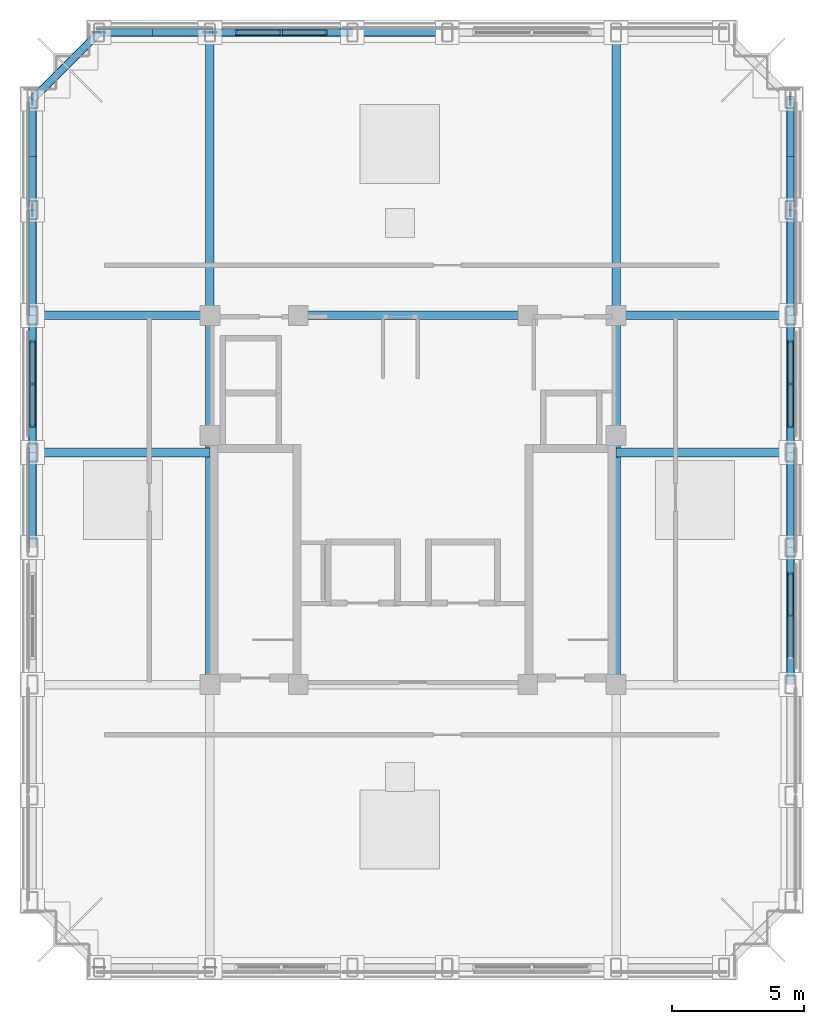
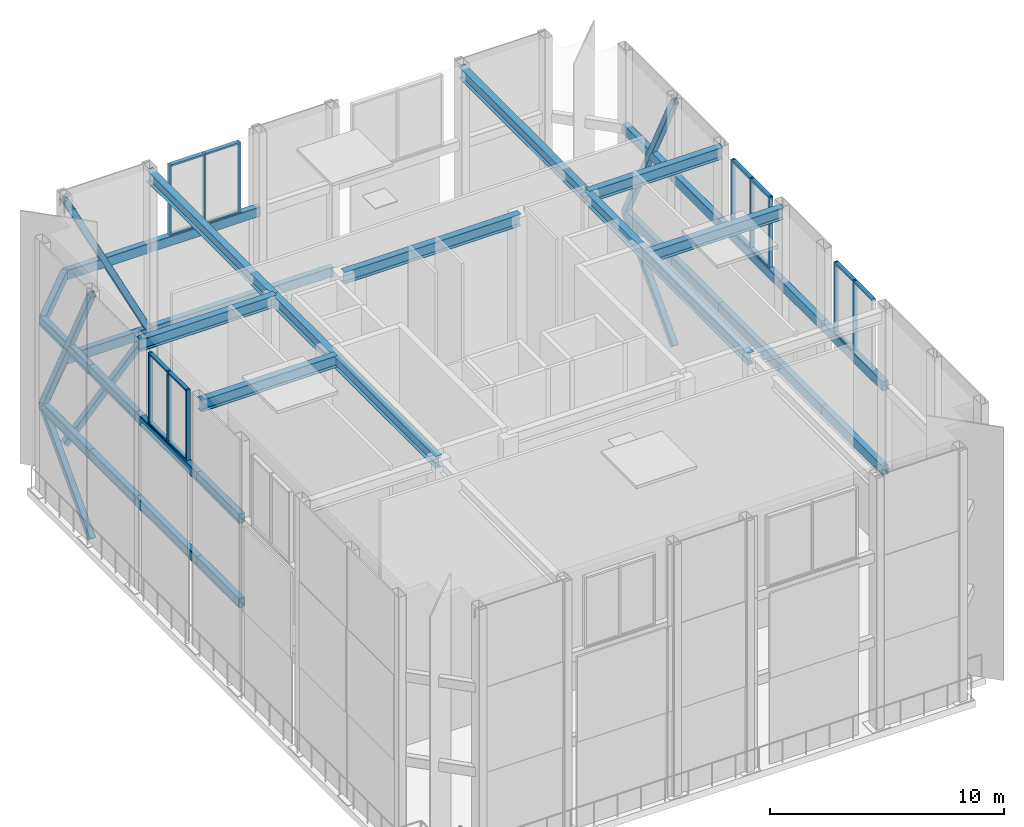
# One storey, part 2 of 7: 34 beams, 32 members, 4 elements without a shape of their own.
"""IFC4 building model written with IfcOpenShell, lengths in metres."""

from ifc_helpers import new_model, si_unit, derived_unit, direction, frame, origin, origin_2d, place, context, subcontext, project, spatial, rectangle, hollow_rectangle, i_section, extrude, material, material_profile, profile_set, type_object, element, aggregate, save


model = new_model("IFC4")

# Units and contexts
model_context = context("Model", 3, precision=1e-05, world=origin(), true_north=direction((0.0, 1.0)))
body_context = subcontext(model_context, "Body", "Model", "MODEL_VIEW")
ifc_project = project(units=[si_unit("LENGTHUNIT", "METRE"), si_unit("AREAUNIT", "SQUARE_METRE"), si_unit("VOLUMEUNIT", "CUBIC_METRE"), si_unit("PLANEANGLEUNIT", "RADIAN"), si_unit("MASSUNIT", "GRAM", prefix="KILO"), derived_unit("THERMALTRANSMITTANCEUNIT", [(si_unit("MASSUNIT", "GRAM", prefix="KILO"), 1), (si_unit("TIMEUNIT", "SECOND"), -3), (si_unit("THERMODYNAMICTEMPERATUREUNIT", "KELVIN"), -1)])], contexts=[model_context])

# Site, building, storey
site_placement = place(None, origin())
site = spatial("IfcSite", under=ifc_project, at=site_placement, CompositionType="ELEMENT")
building_placement = place(site_placement, origin())
building = spatial("IfcBuilding", under=site, at=building_placement, Name="Korrvale Station Residences", CompositionType="ELEMENT")
storey_placement = place(building_placement, frame((0.0, 0.0, 261.5)))
storey = spatial("IfcBuildingStorey", under=building, at=storey_placement, Name="L76 Crown", CompositionType="ELEMENT", Elevation=261.5)

# Beams
ifc_material_1 = material(Name="Steel S355", Category="steel")
ifc_material_profile_1 = material_profile(ifc_material_1, i_section(OverallWidth=0.324951171875, OverallDepth=0.615966796875, WebThickness=0.013916015625, FlangeThickness=0.021484375, FilletRadius=0.01904296875, at=origin_2d()), Name="W610x174")
ifc_profile_set_1 = profile_set([ifc_material_profile_1], Name="Steel S355")
beam_type_1 = type_object("IfcBeamType", Name="BM-BM-W610x174-S355", PredefinedType="BEAM", material=ifc_profile_set_1)
for number, where, z_axis, x_axis, name in (
    (1, (17.800048828125, 29.0, 12.64208984375), (0.0, 1.0, 0.0), (-1.0, 0.0, 0.0), "L76 Crown Roof Framing Girder 03"),
    (2, (33.199951171875, 29.0, 12.64208984375), (0.0, 1.0, 0.0), (-1.0, 0.0, 0.0), "L76 Crown Roof Framing Girder 04"),
):
    element("IfcBeam", number, at=place(storey_placement, frame(where, z_axis=z_axis, x_axis=x_axis)), inside=storey, type_object=beam_type_1, Name=name, PredefinedType="BEAM", context=body_context, shape_type="SweptSolid", body=[
        extrude(i_section(OverallWidth=0.324951171875, OverallDepth=0.615966796875, WebThickness=0.013916015625, FlangeThickness=0.021484375, FilletRadius=0.01904296875, at=origin_2d()), origin(), (0.0, 0.0, 1.0), 10.719970703125),
    ])
beam_1_placement = place(storey_placement, frame((11.080078125, 29.0, 12.64208984375), z_axis=(1.0, 0.0, 0.0), x_axis=(0.0, 1.0, 0.0)))
element("IfcBeam", 3, at=beam_1_placement, inside=storey, type_object=beam_type_1, Name="L76 Crown Roof Framing Girder 07", PredefinedType="BEAM", context=body_context, shape_type="SweptSolid", body=[
    extrude(i_section(OverallWidth=0.324951171875, OverallDepth=0.615966796875, WebThickness=0.013916015625, FlangeThickness=0.021484375, FilletRadius=0.01904296875, at=origin_2d()), origin(), (0.0, 0.0, 1.0), 6.719970703125),
])
beam_2_placement = place(storey_placement, frame((33.199951171875, 29.0, 12.64208984375), z_axis=(1.0, 0.0, 0.0), x_axis=(0.0, 1.0, 0.0)))
element("IfcBeam", 4, at=beam_2_placement, inside=storey, type_object=beam_type_1, Name="L76 Crown Roof Framing Girder 08", PredefinedType="BEAM", context=body_context, shape_type="SweptSolid", body=[
    extrude(i_section(OverallWidth=0.324951171875, OverallDepth=0.615966796875, WebThickness=0.013916015625, FlangeThickness=0.021484375, FilletRadius=0.01904296875, at=origin_2d()), origin(), (0.0, 0.0, 1.0), 6.6201171875),
])
beam_3_placement = place(storey_placement, frame((21.14990234375, 29.0, 12.64208984375), z_axis=(1.0, 0.0, 0.0), x_axis=(0.0, 1.0, 0.0)))
element("IfcBeam", 5, at=beam_3_placement, inside=storey, type_object=beam_type_1, Name="L76 Crown Roof Framing Girder 10", PredefinedType="BEAM", context=body_context, shape_type="SweptSolid", body=[
    extrude(i_section(OverallWidth=0.324951171875, OverallDepth=0.615966796875, WebThickness=0.013916015625, FlangeThickness=0.021484375, FilletRadius=0.01904296875, at=origin_2d()), origin(), (0.0, 0.0, 1.0), 8.7001953125),
])
for number, where, z_axis, x_axis, name in (
    (6, (17.800048828125, 15.0, 12.64208984375), (0.0, 1.0, 0.0), (-1.0, 0.0, 0.0), "L76 Crown Roof Framing Girder 11"),
    (7, (33.199951171875, 15.0, 12.64208984375), (0.0, 1.0, 0.0), (-1.0, 0.0, 0.0), "L76 Crown Roof Framing Girder 12"),
):
    element("IfcBeam", number, at=place(storey_placement, frame(where, z_axis=z_axis, x_axis=x_axis)), inside=storey, type_object=beam_type_1, Name=name, PredefinedType="BEAM", context=body_context, shape_type="SweptSolid", body=[
        extrude(i_section(OverallWidth=0.324951171875, OverallDepth=0.615966796875, WebThickness=0.013916015625, FlangeThickness=0.021484375, FilletRadius=0.01904296875, at=origin_2d()), origin(), (0.0, 0.0, 1.0), 14.0),
    ])
beam_4_placement = place(storey_placement, frame((11.080078125, 23.800048828125, 12.64208984375), z_axis=(1.0, 0.0, 0.0), x_axis=(0.0, 1.0, 0.0)))
element("IfcBeam", 8, at=beam_4_placement, inside=storey, type_object=beam_type_1, Name="L76 Crown Roof Framing Girder 13", PredefinedType="BEAM", context=body_context, shape_type="SweptSolid", body=[
    extrude(i_section(OverallWidth=0.324951171875, OverallDepth=0.615966796875, WebThickness=0.013916015625, FlangeThickness=0.021484375, FilletRadius=0.01904296875, at=origin_2d()), origin(), (0.0, 0.0, 1.0), 6.719970703125),
])
beam_5_placement = place(storey_placement, frame((33.199951171875, 23.800048828125, 12.64208984375), z_axis=(1.0, 0.0, 0.0), x_axis=(0.0, 1.0, 0.0)))
element("IfcBeam", 9, at=beam_5_placement, inside=storey, type_object=beam_type_1, Name="L76 Crown Roof Framing Girder 14", PredefinedType="BEAM", context=body_context, shape_type="SweptSolid", body=[
    extrude(i_section(OverallWidth=0.324951171875, OverallDepth=0.615966796875, WebThickness=0.013916015625, FlangeThickness=0.021484375, FilletRadius=0.01904296875, at=origin_2d()), origin(), (0.0, 0.0, 1.0), 6.6201171875),
])
ifc_material_profile_2 = material_profile(ifc_material_1, hollow_rectangle(XDim=0.3046875, YDim=0.508056640625, WallThickness=0.015869140625, InnerFilletRadius=0.015869140625, OuterFilletRadius=0.03173828125, at=origin_2d()), Name="HSS508x305x16")
ifc_profile_set_2 = profile_set([ifc_material_profile_2], Name="Steel S355")
beam_type_2 = type_object("IfcBeamType", Name="BM-CFB-HSS508x305x16-S355", PredefinedType="USERDEFINED", material=ifc_profile_set_2)
for number, where, z_axis, x_axis, name in (
    (10, (13.60009765625, 39.719970703125, 4.5), (1.0, 0.0, 0.0), (0.0, 1.0, 0.0), "Ring Crown Intermediate Ring Beam M1-06"),
    (11, (13.60009765625, 39.719970703125, 8.89990234375), (1.0, 0.0, 0.0), (0.0, 1.0, 0.0), "Ring Crown Intermediate Ring Beam M2-06"),
):
    element("IfcBeam", number, at=place(storey_placement, frame(where, z_axis=z_axis, x_axis=x_axis)), inside=storey, type_object=beam_type_2, Name=name, ObjectType="CROWN FRAME", PredefinedType="USERDEFINED", context=body_context, shape_type="SweptSolid", body=[
        extrude(hollow_rectangle(XDim=0.3046875, YDim=0.508056640625, WallThickness=0.015869140625, InnerFilletRadius=0.015869140625, OuterFilletRadius=0.03173828125, at=origin_2d()), origin(), (0.0, 0.0, 1.0), 4.199951171875),
    ])
for number, where, z_axis, x_axis, name in (
    (12, (17.800048828125, 39.719970703125, 4.5), (1.0, 0.0, 0.0), (0.0, 1.0, 0.0), "Ring Crown Intermediate Ring Beam M1-07"),
    (13, (17.800048828125, 39.719970703125, 8.89990234375), (1.0, 0.0, 0.0), (0.0, 1.0, 0.0), "Ring Crown Intermediate Ring Beam M2-07"),
):
    element("IfcBeam", number, at=place(storey_placement, frame(where, z_axis=z_axis, x_axis=x_axis)), inside=storey, type_object=beam_type_2, Name=name, ObjectType="CROWN FRAME", PredefinedType="USERDEFINED", context=body_context, shape_type="SweptSolid", body=[
        extrude(hollow_rectangle(XDim=0.3046875, YDim=0.508056640625, WallThickness=0.015869140625, InnerFilletRadius=0.015869140625, OuterFilletRadius=0.03173828125, at=origin_2d()), origin(), (0.0, 0.0, 1.0), 5.39990234375),
    ])
for number, where, z_axis, x_axis, name in (
    (14, (23.199951171875, 39.719970703125, 4.5), (1.0, 0.0, 0.0), (0.0, 1.0, 0.0), "Ring Crown Intermediate Ring Beam M1-08"),
    (15, (11.080078125, 20.199951171875, 4.5), (0.0, 1.0, 0.0), (-1.0, 0.0, 0.0), "Ring Crown Intermediate Ring Beam M1-14"),
    (16, (11.080078125, 20.199951171875, 8.89990234375), (0.0, 1.0, 0.0), (-1.0, 0.0, 0.0), "Ring Crown Intermediate Ring Beam M2-14"),
):
    element("IfcBeam", number, at=place(storey_placement, frame(where, z_axis=z_axis, x_axis=x_axis)), inside=storey, type_object=beam_type_2, Name=name, ObjectType="CROWN FRAME", PredefinedType="USERDEFINED", context=body_context, shape_type="SweptSolid", body=[
        extrude(hollow_rectangle(XDim=0.3046875, YDim=0.508056640625, WallThickness=0.015869140625, InnerFilletRadius=0.015869140625, OuterFilletRadius=0.03173828125, at=origin_2d()), origin(), (0.0, 0.0, 1.0), 3.60009765625),
    ])
for number, where, z_axis, x_axis, name in (
    (17, (11.080078125, 23.800048828125, 4.5), (0.0, 1.0, 0.0), (-1.0, 0.0, 0.0), "Ring Crown Intermediate Ring Beam M1-15"),
    (18, (11.080078125, 23.800048828125, 8.89990234375), (0.0, 1.0, 0.0), (-1.0, 0.0, 0.0), "Ring Crown Intermediate Ring Beam M2-15"),
):
    element("IfcBeam", number, at=place(storey_placement, frame(where, z_axis=z_axis, x_axis=x_axis)), inside=storey, type_object=beam_type_2, Name=name, ObjectType="CROWN FRAME", PredefinedType="USERDEFINED", context=body_context, shape_type="SweptSolid", body=[
        extrude(hollow_rectangle(XDim=0.3046875, YDim=0.508056640625, WallThickness=0.015869140625, InnerFilletRadius=0.015869140625, OuterFilletRadius=0.03173828125, at=origin_2d()), origin(), (0.0, 0.0, 1.0), 5.199951171875),
    ])
for number, where, z_axis, x_axis, name in (
    (19, (11.080078125, 29.0, 4.5), (0.0, 1.0, 0.0), (-1.0, 0.0, 0.0), "Ring Crown Intermediate Ring Beam M1-16"),
    (20, (11.080078125, 29.0, 8.89990234375), (0.0, 1.0, 0.0), (-1.0, 0.0, 0.0), "Ring Crown Intermediate Ring Beam M2-16"),
):
    element("IfcBeam", number, at=place(storey_placement, frame(where, z_axis=z_axis, x_axis=x_axis)), inside=storey, type_object=beam_type_2, Name=name, ObjectType="CROWN FRAME", PredefinedType="USERDEFINED", context=body_context, shape_type="SweptSolid", body=[
        extrude(hollow_rectangle(XDim=0.3046875, YDim=0.508056640625, WallThickness=0.015869140625, InnerFilletRadius=0.015869140625, OuterFilletRadius=0.03173828125, at=origin_2d()), origin(), (0.0, 0.0, 1.0), 4.0),
    ])
for number, where, z_axis, x_axis, name in (
    (21, (11.080078125, 33.0, 4.5), (0.0, 1.0, 0.0), (-1.0, 0.0, 0.0), "Ring Crown Intermediate Ring Beam M1-17"),
    (22, (11.080078125, 33.0, 8.89990234375), (0.0, 1.0, 0.0), (-1.0, 0.0, 0.0), "Ring Crown Intermediate Ring Beam M2-17"),
):
    element("IfcBeam", number, at=place(storey_placement, frame(where, z_axis=z_axis, x_axis=x_axis)), inside=storey, type_object=beam_type_2, Name=name, ObjectType="CROWN FRAME", PredefinedType="USERDEFINED", context=body_context, shape_type="SweptSolid", body=[
        extrude(hollow_rectangle(XDim=0.3046875, YDim=0.508056640625, WallThickness=0.015869140625, InnerFilletRadius=0.015869140625, OuterFilletRadius=0.03173828125, at=origin_2d()), origin(), (0.0, 0.0, 1.0), 4.199951171875),
    ])
for number, where, z_axis, x_axis, name in (
    (23, (39.820068359375, 15.0, 4.5), (0.0, 1.0, 0.0), (-1.0, 0.0, 0.0), "Ring Crown Intermediate Ring Beam M1-20"),
    (24, (39.820068359375, 15.0, 8.89990234375), (0.0, 1.0, 0.0), (-1.0, 0.0, 0.0), "Ring Crown Intermediate Ring Beam M2-20"),
):
    element("IfcBeam", number, at=place(storey_placement, frame(where, z_axis=z_axis, x_axis=x_axis)), inside=storey, type_object=beam_type_2, Name=name, ObjectType="CROWN FRAME", PredefinedType="USERDEFINED", context=body_context, shape_type="SweptSolid", body=[
        extrude(hollow_rectangle(XDim=0.3046875, YDim=0.508056640625, WallThickness=0.015869140625, InnerFilletRadius=0.015869140625, OuterFilletRadius=0.03173828125, at=origin_2d()), origin(), (0.0, 0.0, 1.0), 5.199951171875),
    ])
for number, where, z_axis, x_axis, name in (
    (25, (39.820068359375, 20.199951171875, 4.5), (0.0, 1.0, 0.0), (-1.0, 0.0, 0.0), "Ring Crown Intermediate Ring Beam M1-21"),
    (26, (39.820068359375, 20.199951171875, 8.89990234375), (0.0, 1.0, 0.0), (-1.0, 0.0, 0.0), "Ring Crown Intermediate Ring Beam M2-21"),
):
    element("IfcBeam", number, at=place(storey_placement, frame(where, z_axis=z_axis, x_axis=x_axis)), inside=storey, type_object=beam_type_2, Name=name, ObjectType="CROWN FRAME", PredefinedType="USERDEFINED", context=body_context, shape_type="SweptSolid", body=[
        extrude(hollow_rectangle(XDim=0.3046875, YDim=0.508056640625, WallThickness=0.015869140625, InnerFilletRadius=0.015869140625, OuterFilletRadius=0.03173828125, at=origin_2d()), origin(), (0.0, 0.0, 1.0), 3.60009765625),
    ])
for number, where, z_axis, x_axis, name in (
    (27, (39.820068359375, 23.800048828125, 4.5), (0.0, 1.0, 0.0), (-1.0, 0.0, 0.0), "Ring Crown Intermediate Ring Beam M1-22"),
    (28, (39.820068359375, 23.800048828125, 8.89990234375), (0.0, 1.0, 0.0), (-1.0, 0.0, 0.0), "Ring Crown Intermediate Ring Beam M2-22"),
):
    element("IfcBeam", number, at=place(storey_placement, frame(where, z_axis=z_axis, x_axis=x_axis)), inside=storey, type_object=beam_type_2, Name=name, ObjectType="CROWN FRAME", PredefinedType="USERDEFINED", context=body_context, shape_type="SweptSolid", body=[
        extrude(hollow_rectangle(XDim=0.3046875, YDim=0.508056640625, WallThickness=0.015869140625, InnerFilletRadius=0.015869140625, OuterFilletRadius=0.03173828125, at=origin_2d()), origin(), (0.0, 0.0, 1.0), 5.199951171875),
    ])
for number, where, z_axis, x_axis, name in (
    (29, (39.820068359375, 29.0, 4.5), (0.0, 1.0, 0.0), (-1.0, 0.0, 0.0), "Ring Crown Intermediate Ring Beam M1-23"),
    (30, (39.820068359375, 29.0, 8.89990234375), (0.0, 1.0, 0.0), (-1.0, 0.0, 0.0), "Ring Crown Intermediate Ring Beam M2-23"),
):
    element("IfcBeam", number, at=place(storey_placement, frame(where, z_axis=z_axis, x_axis=x_axis)), inside=storey, type_object=beam_type_2, Name=name, ObjectType="CROWN FRAME", PredefinedType="USERDEFINED", context=body_context, shape_type="SweptSolid", body=[
        extrude(hollow_rectangle(XDim=0.3046875, YDim=0.508056640625, WallThickness=0.015869140625, InnerFilletRadius=0.015869140625, OuterFilletRadius=0.03173828125, at=origin_2d()), origin(), (0.0, 0.0, 1.0), 4.0),
    ])
for number, where, z_axis, x_axis, name in (
    (31, (39.820068359375, 33.0, 4.5), (0.0, 1.0, 0.0), (-1.0, 0.0, 0.0), "Ring Crown Intermediate Ring Beam M1-24"),
    (32, (39.820068359375, 33.0, 8.89990234375), (0.0, 1.0, 0.0), (-1.0, 0.0, 0.0), "Ring Crown Intermediate Ring Beam M2-24"),
):
    element("IfcBeam", number, at=place(storey_placement, frame(where, z_axis=z_axis, x_axis=x_axis)), inside=storey, type_object=beam_type_2, Name=name, ObjectType="CROWN FRAME", PredefinedType="USERDEFINED", context=body_context, shape_type="SweptSolid", body=[
        extrude(hollow_rectangle(XDim=0.3046875, YDim=0.508056640625, WallThickness=0.015869140625, InnerFilletRadius=0.015869140625, OuterFilletRadius=0.03173828125, at=origin_2d()), origin(), (0.0, 0.0, 1.0), 4.199951171875),
    ])
for number, where, z_axis, x_axis, name in (
    (33, (13.60009765625, 39.719970703125, 4.5), (-0.707106781187, -0.707106781187, 0.0), (0.707106781187, -0.707106781187, 0.0), "Ring Crown Intermediate Ring Beam M1-28"),
    (34, (13.60009765625, 39.719970703125, 8.89990234375), (-0.707106781187, -0.707106781187, 0.0), (0.707106781187, -0.707106781187, 0.0), "Ring Crown Intermediate Ring Beam M2-28"),
):
    element("IfcBeam", number, at=place(storey_placement, frame(where, z_axis=z_axis, x_axis=x_axis)), inside=storey, type_object=beam_type_2, Name=name, ObjectType="CROWN FRAME", PredefinedType="USERDEFINED", context=body_context, shape_type="SweptSolid", body=[
        extrude(hollow_rectangle(XDim=0.3046875, YDim=0.508056640625, WallThickness=0.015869140625, InnerFilletRadius=0.015869140625, OuterFilletRadius=0.03173828125, at=origin_2d()), origin(), (0.0, 0.0, 1.0), 3.56396484375),
    ])

# Curtain wall, members
ifc_material_2 = material(Name="Unitised thermally broken aluminium curtain wall with triple low-e IGU", Category="aluminium")
curtain_wall_type = type_object("IfcCurtainWallType", Name="CW-CRN-RNG", PredefinedType="NOTDEFINED", material=ifc_material_2)
curtain_wall_1_placement = place(storey_placement, origin())
curtain_wall_1 = element("IfcCurtainWall", 35, at=curtain_wall_1_placement, inside=storey, type_object=curtain_wall_type, Name="L76 Crown Curtain Wall CW6-RUN-3", PredefinedType="NOTDEFINED")
ifc_material_3 = material(Name="Extruded thermally broken aluminium mullion", Category="aluminium")
member_type_1 = type_object("IfcMemberType", Name="CW-CRN-RNG-M", PredefinedType="MULLION", material=ifc_material_3)
member_1_placement = place(storey_placement, frame((18.794921875, 39.719970703125, 9.1201171875), z_axis=(0.0, 0.0, 1.0), x_axis=(1.0, 0.0, 0.0)))
member_1 = element("IfcMember", 36, at=member_1_placement, type_object=member_type_1, Name="CW-CRN-RNG Mullion 1", PredefinedType="MULLION", context=body_context, shape_type="SweptSolid", body=[
    extrude(rectangle(XDim=0.090087890625, YDim=0.18505859375, at=origin_2d()), origin(), (0.0, 0.0, 1.0), 3.7099609375),
])
member_2_placement = place(storey_placement, frame((20.5, 39.719970703125, 9.1201171875), z_axis=(0.0, 0.0, 1.0), x_axis=(1.0, 0.0, 0.0)))
member_2 = element("IfcMember", 37, at=member_2_placement, type_object=member_type_1, Name="CW-CRN-RNG Mullion 2", PredefinedType="MULLION", context=body_context, shape_type="SweptSolid", body=[
    extrude(rectangle(XDim=0.090087890625, YDim=0.18505859375, at=origin_2d()), origin(), (0.0, 0.0, 1.0), 3.7099609375),
])
member_3_placement = place(storey_placement, frame((22.205078125, 39.719970703125, 9.1201171875), z_axis=(0.0, 0.0, 1.0), x_axis=(1.0, 0.0, 0.0)))
member_3 = element("IfcMember", 38, at=member_3_placement, type_object=member_type_1, Name="CW-CRN-RNG Mullion 3", PredefinedType="MULLION", context=body_context, shape_type="SweptSolid", body=[
    extrude(rectangle(XDim=0.090087890625, YDim=0.18505859375, at=origin_2d()), origin(), (0.0, 0.0, 1.0), 3.7099609375),
])

curtain_wall_2_placement = place(storey_placement, origin())
curtain_wall_2 = element("IfcCurtainWall", 39, at=curtain_wall_2_placement, inside=storey, type_object=curtain_wall_type, Name="L76 Crown Curtain Wall CW6-RUN-6", PredefinedType="NOTDEFINED")
member_4_placement = place(storey_placement, frame((11.080078125, 24.794921875, 9.1201171875), z_axis=(0.0, 0.0, 1.0), x_axis=(0.0, 1.0, 0.0)))
member_4 = element("IfcMember", 40, at=member_4_placement, type_object=member_type_1, Name="CW-CRN-RNG Mullion 1", PredefinedType="MULLION", context=body_context, shape_type="SweptSolid", body=[
    extrude(rectangle(XDim=0.090087890625, YDim=0.18505859375, at=origin_2d()), origin(), (0.0, 0.0, 1.0), 3.7099609375),
])
member_5_placement = place(storey_placement, frame((11.080078125, 26.39990234375, 9.1201171875), z_axis=(0.0, 0.0, 1.0), x_axis=(0.0, 1.0, 0.0)))
member_5 = element("IfcMember", 41, at=member_5_placement, type_object=member_type_1, Name="CW-CRN-RNG Mullion 2", PredefinedType="MULLION", context=body_context, shape_type="SweptSolid", body=[
    extrude(rectangle(XDim=0.090087890625, YDim=0.18505859375, at=origin_2d()), origin(), (0.0, 0.0, 1.0), 3.7099609375),
])
member_6_placement = place(storey_placement, frame((11.080078125, 28.0048828125, 9.1201171875), z_axis=(0.0, 0.0, 1.0), x_axis=(0.0, 1.0, 0.0)))
member_6 = element("IfcMember", 42, at=member_6_placement, type_object=member_type_1, Name="CW-CRN-RNG Mullion 3", PredefinedType="MULLION", context=body_context, shape_type="SweptSolid", body=[
    extrude(rectangle(XDim=0.090087890625, YDim=0.18505859375, at=origin_2d()), origin(), (0.0, 0.0, 1.0), 3.7099609375),
])

curtain_wall_3_placement = place(storey_placement, origin())
curtain_wall_3 = element("IfcCurtainWall", 43, at=curtain_wall_3_placement, inside=storey, type_object=curtain_wall_type, Name="L76 Crown Curtain Wall CW6-RUN-7", PredefinedType="NOTDEFINED")
member_7_placement = place(storey_placement, frame((39.820068359375, 17.60009765625, 9.1201171875), z_axis=(0.0, 0.0, 1.0), x_axis=(0.0, 1.0, 0.0)))
member_7 = element("IfcMember", 44, at=member_7_placement, type_object=member_type_1, Name="CW-CRN-RNG Mullion 2", PredefinedType="MULLION", context=body_context, shape_type="SweptSolid", body=[
    extrude(rectangle(XDim=0.090087890625, YDim=0.18505859375, at=origin_2d()), origin(), (0.0, 0.0, 1.0), 3.7099609375),
])
member_8_placement = place(storey_placement, frame((39.820068359375, 19.205078125, 9.1201171875), z_axis=(0.0, 0.0, 1.0), x_axis=(0.0, 1.0, 0.0)))
member_8 = element("IfcMember", 45, at=member_8_placement, type_object=member_type_1, Name="CW-CRN-RNG Mullion 3", PredefinedType="MULLION", context=body_context, shape_type="SweptSolid", body=[
    extrude(rectangle(XDim=0.090087890625, YDim=0.18505859375, at=origin_2d()), origin(), (0.0, 0.0, 1.0), 3.7099609375),
])

curtain_wall_4_placement = place(storey_placement, origin())
curtain_wall_4 = element("IfcCurtainWall", 46, at=curtain_wall_4_placement, inside=storey, type_object=curtain_wall_type, Name="L76 Crown Curtain Wall CW6-RUN-8", PredefinedType="NOTDEFINED")
member_9_placement = place(storey_placement, frame((39.820068359375, 24.794921875, 9.1201171875), z_axis=(0.0, 0.0, 1.0), x_axis=(0.0, 1.0, 0.0)))
member_9 = element("IfcMember", 47, at=member_9_placement, type_object=member_type_1, Name="CW-CRN-RNG Mullion 1", PredefinedType="MULLION", context=body_context, shape_type="SweptSolid", body=[
    extrude(rectangle(XDim=0.090087890625, YDim=0.18505859375, at=origin_2d()), origin(), (0.0, 0.0, 1.0), 3.7099609375),
])
member_10_placement = place(storey_placement, frame((39.820068359375, 26.39990234375, 9.1201171875), z_axis=(0.0, 0.0, 1.0), x_axis=(0.0, 1.0, 0.0)))
member_10 = element("IfcMember", 48, at=member_10_placement, type_object=member_type_1, Name="CW-CRN-RNG Mullion 2", PredefinedType="MULLION", context=body_context, shape_type="SweptSolid", body=[
    extrude(rectangle(XDim=0.090087890625, YDim=0.18505859375, at=origin_2d()), origin(), (0.0, 0.0, 1.0), 3.7099609375),
])
member_11_placement = place(storey_placement, frame((39.820068359375, 28.0048828125, 9.1201171875), z_axis=(0.0, 0.0, 1.0), x_axis=(0.0, 1.0, 0.0)))
member_11 = element("IfcMember", 49, at=member_11_placement, type_object=member_type_1, Name="CW-CRN-RNG Mullion 3", PredefinedType="MULLION", context=body_context, shape_type="SweptSolid", body=[
    extrude(rectangle(XDim=0.090087890625, YDim=0.18505859375, at=origin_2d()), origin(), (0.0, 0.0, 1.0), 3.7099609375),
])

# Member
ifc_material_4 = material(Name="Extruded thermally broken aluminium transom", Category="aluminium")
member_type_2 = type_object("IfcMemberType", Name="CW-CRN-RNG-T", PredefinedType="USERDEFINED", material=ifc_material_4)
member_12_placement = place(storey_placement, frame((19.625, 39.719970703125, 9.1201171875), z_axis=(0.0, 0.0, 1.0), x_axis=(1.0, 0.0, 0.0)))
member_12 = element("IfcMember", 50, at=member_12_placement, type_object=member_type_2, Name="CW-CRN-RNG Transom 1-1", ObjectType="TRANSOM", PredefinedType="USERDEFINED", context=body_context, shape_type="SweptSolid", body=[
    extrude(rectangle(XDim=1.659912109375, YDim=0.18505859375, at=origin_2d()), origin(), (0.0, 0.0, 1.0), 0.090087890625),
])

member_13_placement = place(storey_placement, frame((19.625, 39.719970703125, 12.73974609375), z_axis=(0.0, 0.0, 1.0), x_axis=(1.0, 0.0, 0.0)))
member_13 = element("IfcMember", 51, at=member_13_placement, type_object=member_type_2, Name="CW-CRN-RNG Transom 1-2", ObjectType="TRANSOM", PredefinedType="USERDEFINED", context=body_context, shape_type="SweptSolid", body=[
    extrude(rectangle(XDim=1.659912109375, YDim=0.18505859375, at=origin_2d()), origin(), (0.0, 0.0, 1.0), 0.090087890625),
])

member_14_placement = place(storey_placement, frame((21.375, 39.719970703125, 9.1201171875), z_axis=(0.0, 0.0, 1.0), x_axis=(1.0, 0.0, 0.0)))
member_14 = element("IfcMember", 52, at=member_14_placement, type_object=member_type_2, Name="CW-CRN-RNG Transom 2-1", ObjectType="TRANSOM", PredefinedType="USERDEFINED", context=body_context, shape_type="SweptSolid", body=[
    extrude(rectangle(XDim=1.659912109375, YDim=0.18505859375, at=origin_2d()), origin(), (0.0, 0.0, 1.0), 0.090087890625),
])

member_15_placement = place(storey_placement, frame((21.375, 39.719970703125, 12.73974609375), z_axis=(0.0, 0.0, 1.0), x_axis=(1.0, 0.0, 0.0)))
member_15 = element("IfcMember", 53, at=member_15_placement, type_object=member_type_2, Name="CW-CRN-RNG Transom 2-2", ObjectType="TRANSOM", PredefinedType="USERDEFINED", context=body_context, shape_type="SweptSolid", body=[
    extrude(rectangle(XDim=1.659912109375, YDim=0.18505859375, at=origin_2d()), origin(), (0.0, 0.0, 1.0), 0.090087890625),
])

aggregate(curtain_wall_1, [member_1, member_2, member_3, member_12, member_13, member_14, member_15])

member_16_placement = place(storey_placement, frame((11.080078125, 25.574951171875, 9.1201171875), z_axis=(0.0, 0.0, 1.0), x_axis=(0.0, 1.0, 0.0)))
member_16 = element("IfcMember", 54, at=member_16_placement, type_object=member_type_2, Name="CW-CRN-RNG Transom 1-1", ObjectType="TRANSOM", PredefinedType="USERDEFINED", context=body_context, shape_type="SweptSolid", body=[
    extrude(rectangle(XDim=1.56005859375, YDim=0.18505859375, at=origin_2d()), origin(), (0.0, 0.0, 1.0), 0.090087890625),
])

member_17_placement = place(storey_placement, frame((11.080078125, 25.574951171875, 12.73974609375), z_axis=(0.0, 0.0, 1.0), x_axis=(0.0, 1.0, 0.0)))
member_17 = element("IfcMember", 55, at=member_17_placement, type_object=member_type_2, Name="CW-CRN-RNG Transom 1-2", ObjectType="TRANSOM", PredefinedType="USERDEFINED", context=body_context, shape_type="SweptSolid", body=[
    extrude(rectangle(XDim=1.56005859375, YDim=0.18505859375, at=origin_2d()), origin(), (0.0, 0.0, 1.0), 0.090087890625),
])

member_18_placement = place(storey_placement, frame((11.080078125, 27.22509765625, 9.1201171875), z_axis=(0.0, 0.0, 1.0), x_axis=(0.0, 1.0, 0.0)))
member_18 = element("IfcMember", 56, at=member_18_placement, type_object=member_type_2, Name="CW-CRN-RNG Transom 2-1", ObjectType="TRANSOM", PredefinedType="USERDEFINED", context=body_context, shape_type="SweptSolid", body=[
    extrude(rectangle(XDim=1.56005859375, YDim=0.18505859375, at=origin_2d()), origin(), (0.0, 0.0, 1.0), 0.090087890625),
])

member_19_placement = place(storey_placement, frame((11.080078125, 27.22509765625, 12.73974609375), z_axis=(0.0, 0.0, 1.0), x_axis=(0.0, 1.0, 0.0)))
member_19 = element("IfcMember", 57, at=member_19_placement, type_object=member_type_2, Name="CW-CRN-RNG Transom 2-2", ObjectType="TRANSOM", PredefinedType="USERDEFINED", context=body_context, shape_type="SweptSolid", body=[
    extrude(rectangle(XDim=1.56005859375, YDim=0.18505859375, at=origin_2d()), origin(), (0.0, 0.0, 1.0), 0.090087890625),
])

aggregate(curtain_wall_2, [member_4, member_5, member_6, member_16, member_17, member_18, member_19])

member_20_placement = place(storey_placement, frame((39.820068359375, 16.77490234375, 12.73974609375), z_axis=(0.0, 0.0, 1.0), x_axis=(0.0, 1.0, 0.0)))
member_20 = element("IfcMember", 58, at=member_20_placement, type_object=member_type_2, Name="CW-CRN-RNG Transom 1-2", ObjectType="TRANSOM", PredefinedType="USERDEFINED", context=body_context, shape_type="SweptSolid", body=[
    extrude(rectangle(XDim=1.56005859375, YDim=0.18505859375, at=origin_2d()), origin(), (0.0, 0.0, 1.0), 0.090087890625),
])

member_21_placement = place(storey_placement, frame((39.820068359375, 18.425048828125, 9.1201171875), z_axis=(0.0, 0.0, 1.0), x_axis=(0.0, 1.0, 0.0)))
member_21 = element("IfcMember", 59, at=member_21_placement, type_object=member_type_2, Name="CW-CRN-RNG Transom 2-1", ObjectType="TRANSOM", PredefinedType="USERDEFINED", context=body_context, shape_type="SweptSolid", body=[
    extrude(rectangle(XDim=1.56005859375, YDim=0.18505859375, at=origin_2d()), origin(), (0.0, 0.0, 1.0), 0.090087890625),
])

member_22_placement = place(storey_placement, frame((39.820068359375, 18.425048828125, 12.73974609375), z_axis=(0.0, 0.0, 1.0), x_axis=(0.0, 1.0, 0.0)))
member_22 = element("IfcMember", 60, at=member_22_placement, type_object=member_type_2, Name="CW-CRN-RNG Transom 2-2", ObjectType="TRANSOM", PredefinedType="USERDEFINED", context=body_context, shape_type="SweptSolid", body=[
    extrude(rectangle(XDim=1.56005859375, YDim=0.18505859375, at=origin_2d()), origin(), (0.0, 0.0, 1.0), 0.090087890625),
])

aggregate(curtain_wall_3, [member_7, member_8, member_20, member_21, member_22])

member_23_placement = place(storey_placement, frame((39.820068359375, 25.574951171875, 9.1201171875), z_axis=(0.0, 0.0, 1.0), x_axis=(0.0, 1.0, 0.0)))
member_23 = element("IfcMember", 61, at=member_23_placement, type_object=member_type_2, Name="CW-CRN-RNG Transom 1-1", ObjectType="TRANSOM", PredefinedType="USERDEFINED", context=body_context, shape_type="SweptSolid", body=[
    extrude(rectangle(XDim=1.56005859375, YDim=0.18505859375, at=origin_2d()), origin(), (0.0, 0.0, 1.0), 0.090087890625),
])

member_24_placement = place(storey_placement, frame((39.820068359375, 25.574951171875, 12.73974609375), z_axis=(0.0, 0.0, 1.0), x_axis=(0.0, 1.0, 0.0)))
member_24 = element("IfcMember", 62, at=member_24_placement, type_object=member_type_2, Name="CW-CRN-RNG Transom 1-2", ObjectType="TRANSOM", PredefinedType="USERDEFINED", context=body_context, shape_type="SweptSolid", body=[
    extrude(rectangle(XDim=1.56005859375, YDim=0.18505859375, at=origin_2d()), origin(), (0.0, 0.0, 1.0), 0.090087890625),
])

member_25_placement = place(storey_placement, frame((39.820068359375, 27.22509765625, 9.1201171875), z_axis=(0.0, 0.0, 1.0), x_axis=(0.0, 1.0, 0.0)))
member_25 = element("IfcMember", 63, at=member_25_placement, type_object=member_type_2, Name="CW-CRN-RNG Transom 2-1", ObjectType="TRANSOM", PredefinedType="USERDEFINED", context=body_context, shape_type="SweptSolid", body=[
    extrude(rectangle(XDim=1.56005859375, YDim=0.18505859375, at=origin_2d()), origin(), (0.0, 0.0, 1.0), 0.090087890625),
])

member_26_placement = place(storey_placement, frame((39.820068359375, 27.22509765625, 12.73974609375), z_axis=(0.0, 0.0, 1.0), x_axis=(0.0, 1.0, 0.0)))
member_26 = element("IfcMember", 64, at=member_26_placement, type_object=member_type_2, Name="CW-CRN-RNG Transom 2-2", ObjectType="TRANSOM", PredefinedType="USERDEFINED", context=body_context, shape_type="SweptSolid", body=[
    extrude(rectangle(XDim=1.56005859375, YDim=0.18505859375, at=origin_2d()), origin(), (0.0, 0.0, 1.0), 0.090087890625),
])

aggregate(curtain_wall_4, [member_9, member_10, member_11, member_23, member_24, member_25, member_26])

# Members
ifc_material_profile_3 = material_profile(ifc_material_1, hollow_rectangle(XDim=0.3046875, YDim=0.3046875, WallThickness=0.015869140625, InnerFilletRadius=0.015869140625, OuterFilletRadius=0.03173828125, at=origin_2d()), Name="HSS305x305x16")
ifc_profile_set_3 = profile_set([ifc_material_profile_3], Name="Steel S355")
member_type_3 = type_object("IfcMemberType", Name="MBR-BR-CF-HSS305x305x16", PredefinedType="BRACE", material=ifc_profile_set_3)
member_27_placement = place(storey_placement, frame((13.60009765625, 39.719970703125, 0.06005859375), z_axis=(0.687200423661, 0.0, 0.726467877969), x_axis=(0.0, 1.0, 0.0)))
element("IfcMember", 65, at=member_27_placement, inside=storey, type_object=member_type_3, Name="Ring Crown Frame Diagonal Brace 02A", PredefinedType="BRACE", context=body_context, shape_type="SweptSolid", body=[
    extrude(hollow_rectangle(XDim=0.3046875, YDim=0.3046875, WallThickness=0.015869140625, InnerFilletRadius=0.015869140625, OuterFilletRadius=0.03173828125, at=origin_2d()), origin(), (0.0, 0.0, 1.0), 6.111572265625),
])
member_28_placement = place(storey_placement, frame((17.800048828125, 39.719970703125, 4.5), z_axis=(-0.450636651034, 0.0, 0.892707459779), x_axis=(0.0, -1.0, 0.0)))
element("IfcMember", 66, at=member_28_placement, inside=storey, type_object=member_type_3, Name="Ring Crown Frame Diagonal Brace 02B", PredefinedType="BRACE", context=body_context, shape_type="SweptSolid", body=[
    extrude(hollow_rectangle(XDim=0.3046875, YDim=0.3046875, WallThickness=0.015869140625, InnerFilletRadius=0.015869140625, OuterFilletRadius=0.03173828125, at=origin_2d()), origin(), (0.0, 0.0, 1.0), 9.320068359375),
])
member_29_placement = place(storey_placement, frame((11.080078125, 33.0, 0.06005859375), z_axis=(0.0, 0.687200423661, 0.726467877969), x_axis=(-1.0, 0.0, 0.0)))
element("IfcMember", 67, at=member_29_placement, inside=storey, type_object=member_type_3, Name="Ring Crown Frame Diagonal Brace 03A", PredefinedType="BRACE", context=body_context, shape_type="SweptSolid", body=[
    extrude(hollow_rectangle(XDim=0.3046875, YDim=0.3046875, WallThickness=0.015869140625, InnerFilletRadius=0.015869140625, OuterFilletRadius=0.03173828125, at=origin_2d()), origin(), (0.0, 0.0, 1.0), 6.111572265625),
])
member_30_placement = place(storey_placement, frame((11.080078125, 37.199951171875, 4.5), z_axis=(0.0, -0.450636651034, 0.892707459779), x_axis=(1.0, 0.0, 0.0)))
element("IfcMember", 68, at=member_30_placement, inside=storey, type_object=member_type_3, Name="Ring Crown Frame Diagonal Brace 03B", PredefinedType="BRACE", context=body_context, shape_type="SweptSolid", body=[
    extrude(hollow_rectangle(XDim=0.3046875, YDim=0.3046875, WallThickness=0.015869140625, InnerFilletRadius=0.015869140625, OuterFilletRadius=0.03173828125, at=origin_2d()), origin(), (0.0, 0.0, 1.0), 9.320068359375),
])
member_31_placement = place(storey_placement, frame((39.820068359375, 33.0, 0.06005859375), z_axis=(0.0, 0.687200423661, 0.726467877969), x_axis=(-1.0, 0.0, 0.0)))
element("IfcMember", 69, at=member_31_placement, inside=storey, type_object=member_type_3, Name="Ring Crown Frame Diagonal Brace 04A", PredefinedType="BRACE", context=body_context, shape_type="SweptSolid", body=[
    extrude(hollow_rectangle(XDim=0.3046875, YDim=0.3046875, WallThickness=0.015869140625, InnerFilletRadius=0.015869140625, OuterFilletRadius=0.03173828125, at=origin_2d()), origin(), (0.0, 0.0, 1.0), 6.111572265625),
])
member_32_placement = place(storey_placement, frame((39.820068359375, 37.199951171875, 4.5), z_axis=(0.0, -0.450636651034, 0.892707459779), x_axis=(1.0, 0.0, 0.0)))
element("IfcMember", 70, at=member_32_placement, inside=storey, type_object=member_type_3, Name="Ring Crown Frame Diagonal Brace 04B", PredefinedType="BRACE", context=body_context, shape_type="SweptSolid", body=[
    extrude(hollow_rectangle(XDim=0.3046875, YDim=0.3046875, WallThickness=0.015869140625, InnerFilletRadius=0.015869140625, OuterFilletRadius=0.03173828125, at=origin_2d()), origin(), (0.0, 0.0, 1.0), 9.320068359375),
])

save(model, "model.ifc")
